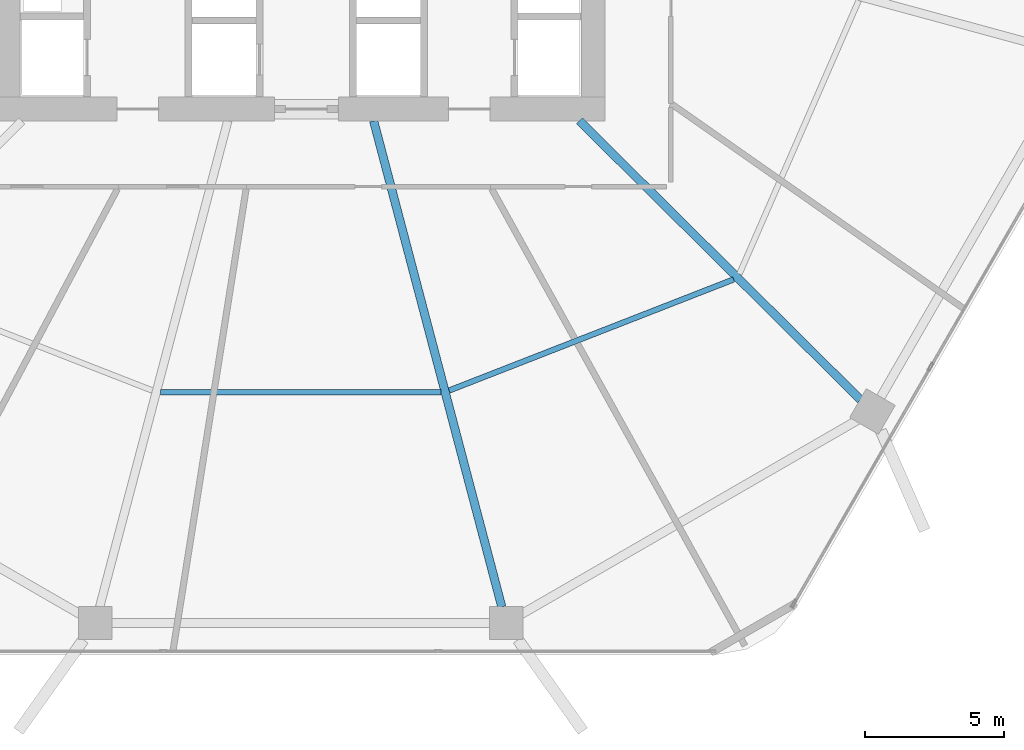
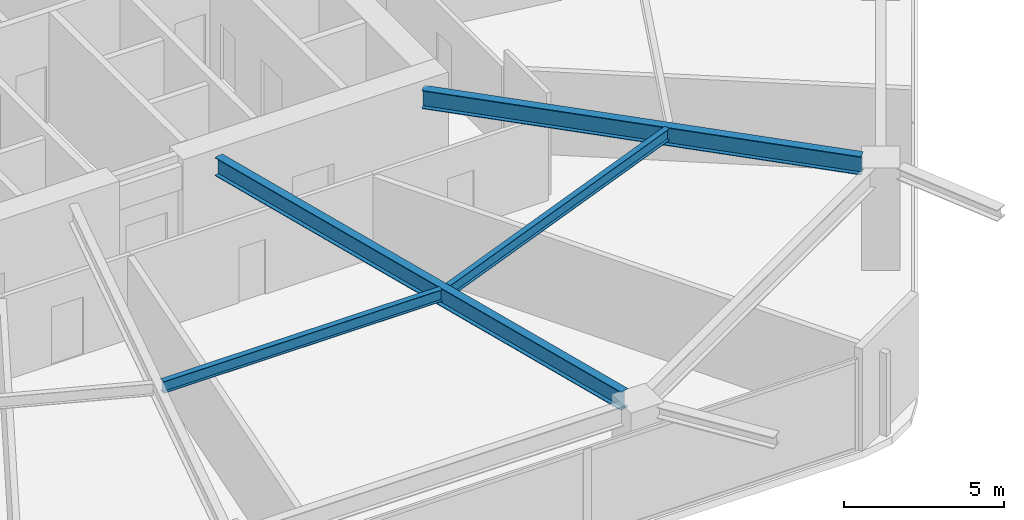
# One storey, part 8 of 25: 4 beams.
"""IFC4 building model written with IfcOpenShell, lengths in metres."""

import ifcopenshell
import ifcopenshell.guid

model = None  # the IFC model being written
_history = None  # IfcOwnerHistory: only IFC2X3 demands one
_inside = {}  # id of a spatial element -> (the spatial element, [elements in it])
_under = {}  # id of a project, library or spatial element -> (it, [spatial elements below it])
_declared = {}  # id of a project -> (the project, [libraries it declares])
_typed = {}  # id of a type object -> (the type object, [elements of that type])
_made_of = {}  # id of a material, layer set ... -> (it, [elements and type objects made of it])


def new_model(schema):
    """Start an empty IFC model of exactly this schema.

    Asked for "IFC4X3", IfcOpenShell would pick the latest addendum, in which some entities
    have other attributes; the version numbers below select the first issue.
    IFC2X3 requires an IfcOwnerHistory on every rooted entity: one is made here for all.
    """
    global model, _history
    if schema == "IFC4X3":
        model = ifcopenshell.file(schema_version=(4, 3, 0, 0))
    else:
        model = ifcopenshell.file(schema=schema)
    _inside.clear()
    _under.clear()
    _declared.clear()
    _typed.clear()
    _made_of.clear()
    _history = None
    if model.schema == "IFC2X3":
        org = make("IfcOrganization", Name="unknown")
        user = make(
            "IfcPersonAndOrganization",
            ThePerson=make("IfcPerson", FamilyName="unknown"),
            TheOrganization=org,
        )
        app = make(
            "IfcApplication",
            ApplicationDeveloper=org,
            Version="unknown",
            ApplicationFullName="unknown",
            ApplicationIdentifier="unknown",
        )
        _history = make(
            "IfcOwnerHistory",
            OwningUser=user,
            OwningApplication=app,
            ChangeAction="ADDED",
            CreationDate=0,
        )
    return model


def make(cls, **values):
    """One entity of the class cls with the attributes given. An attribute that is None is left unset."""
    return model.create_entity(
        cls, **{name: value for name, value in values.items() if value is not None}
    )


def rooted(cls, **values):
    """An entity with a GlobalId (a new one), such as an element, a storey or a relation."""
    return make(cls, GlobalId=ifcopenshell.guid.new(), OwnerHistory=_history, **values)


def si_unit(unit_type, name, prefix=None):
    """IfcSIUnit, for example si_unit("LENGTHUNIT", "METRE", prefix="MILLI")."""
    return make("IfcSIUnit", UnitType=unit_type, Prefix=prefix, Name=name)


def assignment(units):
    """IfcUnitAssignment: the units of a project."""
    return None if units is None else make("IfcUnitAssignment", Units=units)


def point(xyz):
    """IfcCartesianPoint."""
    return None if xyz is None else make("IfcCartesianPoint", Coordinates=xyz)


def direction(xyz):
    """IfcDirection."""
    return None if xyz is None else make("IfcDirection", DirectionRatios=xyz)


def frame(location, z_axis=None, x_axis=None):
    """IfcAxis2Placement3D, a coordinate frame: its origin and axes. An axis left out is left unset."""
    return make(
        "IfcAxis2Placement3D",
        Location=point(location),
        Axis=direction(z_axis),
        RefDirection=direction(x_axis),
    )


def frame_2d(location, x_axis=None):
    """IfcAxis2Placement2D, a coordinate frame in the plane: its origin and x axis."""
    return make(
        "IfcAxis2Placement2D", Location=point(location), RefDirection=direction(x_axis)
    )


def origin():
    """The frame at (0, 0, 0) with its axes left unset."""
    return frame((0.0, 0.0, 0.0))


def origin_2d():
    """The frame at (0, 0) in the plane with its x axis left unset."""
    return frame_2d((0.0, 0.0))


def place(relative_to, where):
    """IfcLocalPlacement: puts the frame where relative to a parent placement (None: the world)."""
    return make(
        "IfcLocalPlacement", PlacementRelTo=relative_to, RelativePlacement=where
    )


def context(
    kind, dimensions, precision=None, world=None, true_north=None, identifier=None
):
    """IfcGeometricRepresentationContext, for example the 3D "Model" context."""
    return make(
        "IfcGeometricRepresentationContext",
        ContextIdentifier=identifier,
        ContextType=kind,
        CoordinateSpaceDimension=dimensions,
        Precision=precision,
        WorldCoordinateSystem=world,
        TrueNorth=true_north,
    )


def subcontext(parent, identifier, kind, view, scale=None):
    """IfcGeometricRepresentationSubContext, for example "Body" below "Model"."""
    return make(
        "IfcGeometricRepresentationSubContext",
        ContextIdentifier=identifier,
        ContextType=kind,
        ParentContext=parent,
        TargetScale=scale,
        TargetView=view,
    )


def project(units=None, contexts=None):
    """IfcProject with its units and contexts."""
    return rooted(
        "IfcProject",
        Name="project",
        RepresentationContexts=contexts,
        UnitsInContext=assignment(units),
    )


def spatial(cls, under=None, at=None, **own):
    """A site, building, storey or space (cls), placed at a placement, below another one or the project."""
    s = rooted(cls, ObjectPlacement=at, **own)
    if under is not None:
        _under.setdefault(under.id(), (under, []))[1].append(s)
    return s


def profile(cls, at=None, kind="AREA", **sizes):
    """A parametric profile (cls). Its sizes go by their IFC names, for example OverallWidth=200.0."""
    return make(cls, ProfileType=kind, Position=at, **sizes)


def i_section(**sizes):
    """IfcIShapeProfileDef."""
    return profile("IfcIShapeProfileDef", **sizes)


def extrude(swept, where, along, depth):
    """IfcExtrudedAreaSolid: the profile swept, set in the frame where, extruded along a direction by depth."""
    return make(
        "IfcExtrudedAreaSolid",
        SweptArea=swept,
        Position=where,
        ExtrudedDirection=direction(along),
        Depth=depth,
    )


def shape(context_of_items, identifier, shape_type, items):
    """IfcShapeRepresentation: the items that make up one representation, for example the "Body"."""
    return make(
        "IfcShapeRepresentation",
        ContextOfItems=context_of_items,
        RepresentationIdentifier=identifier,
        RepresentationType=shape_type,
        Items=items,
    )


def material(Name=None, Category=None):
    """IfcMaterial."""
    return make("IfcMaterial", Name=Name, Category=Category)


def material_profile(
    of_material, cross_section, Name=None, Category=None, Priority=None
):
    """IfcMaterialProfile: a cross section and its material."""
    return make(
        "IfcMaterialProfile",
        Name=Name,
        Material=of_material,
        Profile=cross_section,
        Priority=Priority,
        Category=Category,
    )


def profile_set(profiles, Name=None, composite=None):
    """IfcMaterialProfileSet."""
    return make(
        "IfcMaterialProfileSet",
        Name=Name,
        MaterialProfiles=profiles,
        CompositeProfile=composite,
    )


def made_of(thing, what):
    """Note that an element or type object is made of a material, layer set ...; save() writes the relation."""
    if what is not None:
        _made_of.setdefault(what.id(), (what, []))[1].append(thing)
    return thing


def type_object(cls, material=None, **own):
    """A type object (cls), such as IfcWallType, which elements share."""
    return made_of(rooted(cls, **own), material)


def element(
    cls,
    number,
    at=None,
    inside=None,
    cuts=None,
    type_object=None,
    material=None,
    context=None,
    identifier="Body",
    shape_type=None,
    held_by="IfcProductDefinitionShape",
    body=None,
    shapes=None,
    **own,
):
    """One element of the class cls, such as IfcWall. Its Tag is "e" and its number.

    at: its placement. inside: the storey or other place that contains it. cuts: it is an
    opening in that element (IfcRelVoidsElement). A single representation is given by context,
    identifier, shape_type and body (its items); several are given by shapes. held_by: the class
    of the entity that holds the representations. save() writes the other relations.
    """
    e = rooted(cls, Tag="e%d" % number, ObjectPlacement=at, **own)
    if body is not None:
        shapes = [shape(context, identifier, shape_type, body)]
    if shapes is not None:
        e.Representation = make(held_by, Representations=shapes)
    if inside is not None:
        _inside.setdefault(inside.id(), (inside, []))[1].append(e)
    if cuts is not None:
        rooted(
            "IfcRelVoidsElement", RelatingBuildingElement=cuts, RelatedOpeningElement=e
        )
    if type_object is not None:
        _typed.setdefault(type_object.id(), (type_object, []))[1].append(e)
    return made_of(e, material)


def aggregate(whole, parts):
    """IfcRelAggregates: a whole, such as a stair, and the parts it consists of."""
    return rooted("IfcRelAggregates", RelatingObject=whole, RelatedObjects=parts)


def save(model, path):
    """Write the relations noted so far, then the file.

    IfcRelAggregates (storeys below a building ...), IfcRelContainedInSpatialStructure (elements
    in a storey), IfcRelDefinesByType, IfcRelAssociatesMaterial and IfcRelDeclares: one each for
    every whole, place, type object, material and project.
    """
    for whole, parts in _under.values():
        aggregate(whole, parts)
    for where, things in _inside.values():
        rooted(
            "IfcRelContainedInSpatialStructure",
            RelatedElements=things,
            RelatingStructure=where,
        )
    for kind, things in _typed.values():
        rooted("IfcRelDefinesByType", RelatedObjects=things, RelatingType=kind)
    for what, things in _made_of.values():
        rooted("IfcRelAssociatesMaterial", RelatedObjects=things, RelatingMaterial=what)
    for by, libraries in _declared.values():
        rooted("IfcRelDeclares", RelatingContext=by, RelatedDefinitions=libraries)
    model.write(path)


model = new_model("IFC4")

# Units and contexts
model_context = context("Model", 3, precision=1e-05, world=origin(), true_north=direction((0.0, 1.0)))
body_context = subcontext(model_context, "Body", "Model", "MODEL_VIEW")
ifc_project = project(units=[si_unit("LENGTHUNIT", "METRE"), si_unit("AREAUNIT", "SQUARE_METRE"), si_unit("VOLUMEUNIT", "CUBIC_METRE"), si_unit("PLANEANGLEUNIT", "RADIAN"), si_unit("MASSUNIT", "GRAM", prefix="KILO")], contexts=[model_context])

# Site, building, storey
site_placement = place(None, origin())
site = spatial("IfcSite", under=ifc_project, at=site_placement, CompositionType="ELEMENT")
building_placement = place(site_placement, origin())
building = spatial("IfcBuilding", under=site, at=building_placement, Name="Zuhravey Tower", CompositionType="ELEMENT")
storey_placement = place(building_placement, frame((0.0, 0.0, 37.199951171875)))
storey = spatial("IfcBuildingStorey", under=building, at=storey_placement, Name="L09", CompositionType="ELEMENT", Elevation=37.199951171875)

# Beams
ifc_material = material(Name="Steel SM355", Category="steel")
ifc_material_profile_1 = material_profile(ifc_material, i_section(OverallWidth=0.300048828125, OverallDepth=0.699951171875, WebThickness=0.012939453125, FlangeThickness=0.02392578125, at=origin_2d()), Name="H-700x300x13x24")
ifc_profile_set_1 = profile_set([ifc_material_profile_1], Name="Steel SM355")
beam_type_1 = type_object("IfcBeamType", Name="Radial Primary Girder H700x300", PredefinedType="BEAM", material=ifc_profile_set_1)
beam_1_placement = place(storey_placement, frame((38.617919921875, 22.072021484375, 3.570068359375), z_axis=(0.254989720435, -0.966943763862, 0.0), x_axis=(0.966943763862, 0.254989720435, 0.0)))
element("IfcBeam", 1, at=beam_1_placement, inside=storey, type_object=beam_type_1, Name="L09 RG1 BM-L09-RAD-10", PredefinedType="BEAM", context=body_context, shape_type="SweptSolid", body=[
    extrude(i_section(OverallWidth=0.300048828125, OverallDepth=0.699951171875, WebThickness=0.012939453125, FlangeThickness=0.02392578125, at=origin_2d()), origin(), (0.0, 0.0, 1.0), 18.03369140625),
])
beam_2_placement = place(storey_placement, frame((46.007080078125, 22.072021484375, 3.570068359375), z_axis=(0.709902823282, -0.704299639, 0.0), x_axis=(0.704299639, 0.709902823282, 0.0)))
element("IfcBeam", 2, at=beam_2_placement, inside=storey, type_object=beam_type_1, Name="L09 RG1 BM-L09-RAD-11", PredefinedType="BEAM", context=body_context, shape_type="SweptSolid", body=[
    extrude(i_section(OverallWidth=0.300048828125, OverallDepth=0.699951171875, WebThickness=0.012939453125, FlangeThickness=0.02392578125, at=origin_2d()), origin(), (0.0, 0.0, 1.0), 14.204345703125),
])
ifc_material_profile_2 = material_profile(ifc_material, i_section(OverallWidth=0.199951171875, OverallDepth=0.449951171875, WebThickness=0.009033203125, FlangeThickness=0.013916015625, at=origin_2d()), Name="H-450x200x9x14")
ifc_profile_set_2 = profile_set([ifc_material_profile_2], Name="Steel SM355")
beam_type_2 = type_object("IfcBeamType", Name="Secondary Floor Joist H450x200", PredefinedType="JOIST", material=ifc_profile_set_2)
beam_3_placement = place(storey_placement, frame((30.969970703125, 12.3408203125, 3.695068359375), z_axis=(1.0, 0.0, 0.0), x_axis=(0.0, 1.0, 0.0)))
element("IfcBeam", 3, at=beam_3_placement, inside=storey, type_object=beam_type_2, Name="L09 SJ1 BM-L09-SJ-09-1", PredefinedType="JOIST", context=body_context, shape_type="SweptSolid", body=[
    extrude(i_section(OverallWidth=0.199951171875, OverallDepth=0.449951171875, WebThickness=0.009033203125, FlangeThickness=0.013916015625, at=origin_2d()), origin(), (0.0, 0.0, 1.0), 10.06005859375),
])
beam_4_placement = place(storey_placement, frame((41.32763671875, 12.39697265625, 3.695068359375), z_axis=(0.931516535886, 0.363698973562, 0.0), x_axis=(-0.363698973562, 0.931516535886, 0.0)))
element("IfcBeam", 4, at=beam_4_placement, inside=storey, type_object=beam_type_2, Name="L09 SJ1 BM-L09-SJ-10-1", PredefinedType="JOIST", context=body_context, shape_type="SweptSolid", body=[
    extrude(i_section(OverallWidth=0.199951171875, OverallDepth=0.449951171875, WebThickness=0.009033203125, FlangeThickness=0.013916015625, at=origin_2d()), origin(), (0.0, 0.0, 1.0), 10.963134765625),
])

save(model, "model.ifc")
